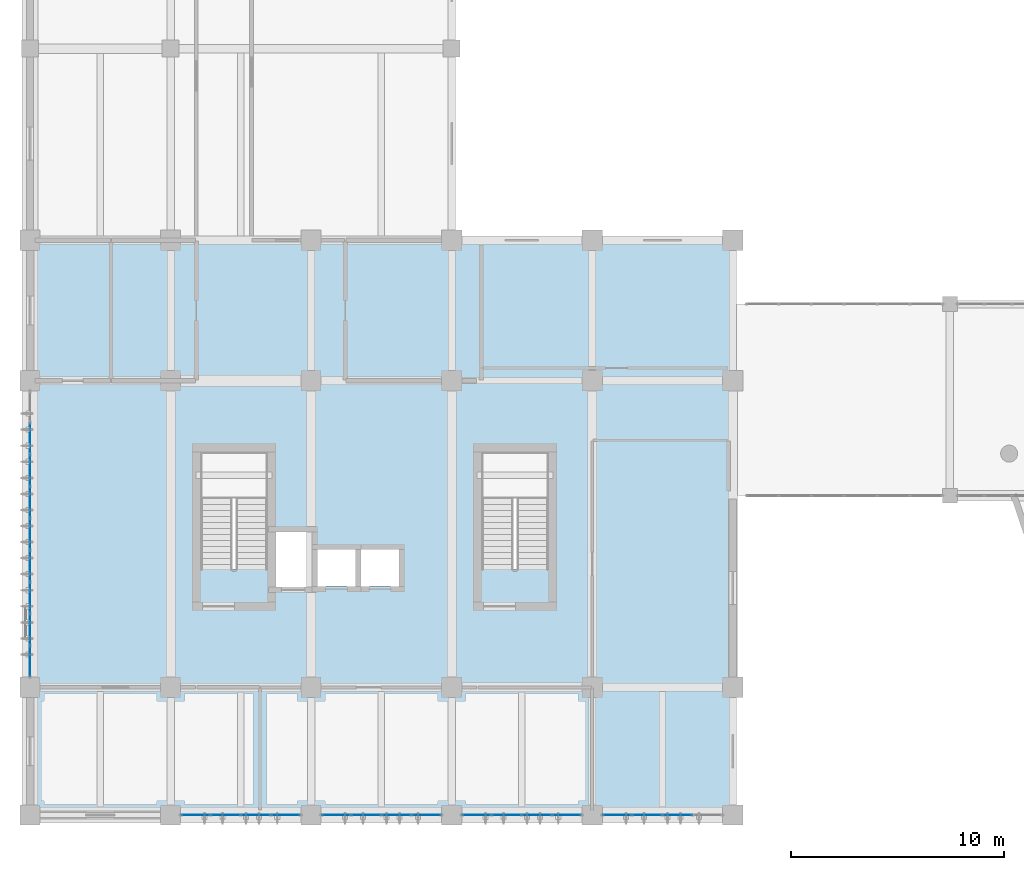
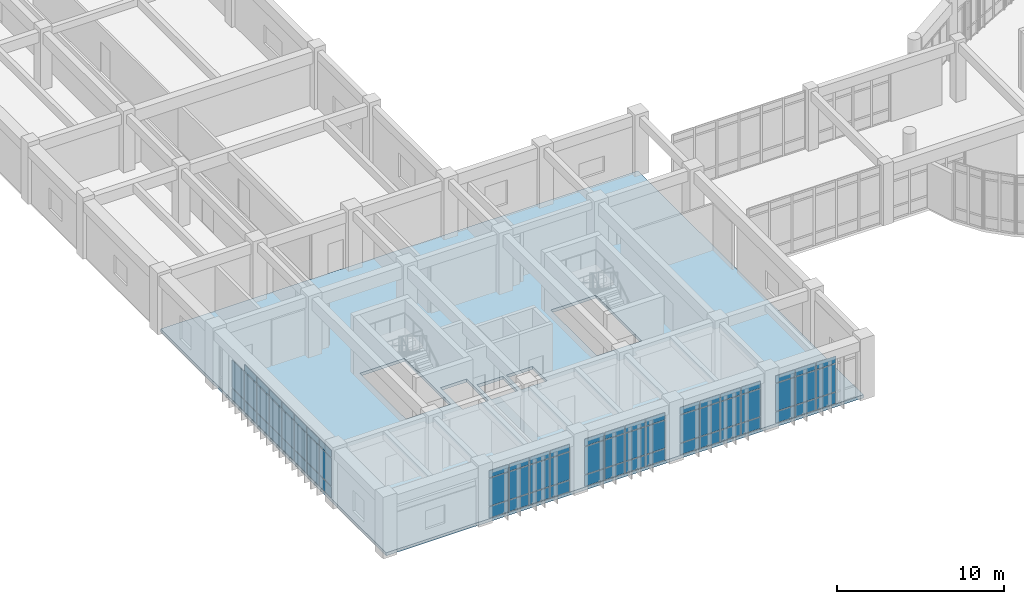
# One storey, part 31 of 57: 68 plates, 1 slab, 5 elements without a shape of their own.
"""IFC4 building model written with IfcOpenShell, lengths in metres."""

from ifc_helpers import new_model, si_unit, direction, frame, origin, origin_2d, place, context, subcontext, project, spatial, polyline, rectangle, outline, extrude, material, layer, layer_set, type_object, element, aggregate, save


model = new_model("IFC4")

# Units and contexts
model_context = context("Model", 3, precision=1e-05, world=origin(), true_north=direction((0.0, 1.0)))
body_context = subcontext(model_context, "Body", "Model", "MODEL_VIEW")
ifc_project = project(units=[si_unit("LENGTHUNIT", "METRE"), si_unit("AREAUNIT", "SQUARE_METRE"), si_unit("VOLUMEUNIT", "CUBIC_METRE"), si_unit("PLANEANGLEUNIT", "RADIAN"), si_unit("MASSUNIT", "GRAM", prefix="KILO")], contexts=[model_context])

# Site, building, storey
site_placement = place(None, origin())
site = spatial("IfcSite", under=ifc_project, at=site_placement, CompositionType="ELEMENT")
building_placement = place(site_placement, origin())
building = spatial("IfcBuilding", under=site, at=building_placement, Name="Miralva Faculty of Natural Sciences", CompositionType="ELEMENT")
storey_placement = place(building_placement, frame((0.0, 0.0, 15.0)))
storey = spatial("IfcBuildingStorey", under=building, at=storey_placement, Name="L03", CompositionType="ELEMENT", Elevation=15.0)

# Curtain wall, plates
ifc_material_1 = material(Name="Laminated solar-control glass", Category="glass")
ifc_layer_1 = layer(ifc_material_1, 0.179931640625, Name="CW-TWR-L03")
ifc_layer_set_1 = layer_set([ifc_layer_1], Name="Laminated solar-control glass")
curtain_wall_type = type_object("IfcCurtainWallType", Name="CW-TWR-L03", PredefinedType="USERDEFINED", material=ifc_layer_set_1)
curtain_wall_1_placement = place(storey_placement, origin())
curtain_wall_1 = element("IfcCurtainWall", 1, at=curtain_wall_1_placement, inside=storey, type_object=curtain_wall_type, Name="Curtain wall CW-14 L03-224", ObjectType="UNITISED CURTAIN WALL", PredefinedType="USERDEFINED")
ifc_layer_2 = layer(ifc_material_1, 0.028076171875, Name="PNL-P01")
ifc_layer_set_2 = layer_set([ifc_layer_2], Name="Laminated solar-control glass")
plate_type = type_object("IfcPlateType", Name="PNL-P01", PredefinedType="CURTAIN_PANEL", material=ifc_layer_set_2)
plate_1_placement = place(storey_placement, frame((10.78125, 3.0, 0.06005859375), z_axis=(0.0, 0.0, 1.0), x_axis=(1.0, 0.0, 0.0)))
plate_1 = element("IfcPlate", 2, at=plate_1_placement, type_object=plate_type, Name="CW-14 panel 1.1", PredefinedType="CURTAIN_PANEL", context=body_context, shape_type="SweptSolid", body=[
    extrude(rectangle(XDim=1.322509765625, YDim=0.028076171875, at=origin_2d()), origin(), (0.0, 0.0, 1.0), 0.81005859375),
])
plate_2_placement = place(storey_placement, frame((10.78125, 3.0, 0.93017578125), z_axis=(0.0, 0.0, 1.0), x_axis=(1.0, 0.0, 0.0)))
plate_2 = element("IfcPlate", 3, at=plate_2_placement, type_object=plate_type, Name="CW-14 panel 1.2", PredefinedType="CURTAIN_PANEL", context=body_context, shape_type="SweptSolid", body=[
    extrude(rectangle(XDim=1.322509765625, YDim=0.028076171875, at=origin_2d()), origin(), (0.0, 0.0, 1.0), 2.014892578125),
])
plate_3_placement = place(storey_placement, frame((10.78125, 3.0, 3.0048828125), z_axis=(0.0, 0.0, 1.0), x_axis=(1.0, 0.0, 0.0)))
plate_3 = element("IfcPlate", 4, at=plate_3_placement, type_object=plate_type, Name="CW-14 panel 1.3", PredefinedType="CURTAIN_PANEL", context=body_context, shape_type="SweptSolid", body=[
    extrude(rectangle(XDim=1.322509765625, YDim=0.028076171875, at=origin_2d()), origin(), (0.0, 0.0, 1.0), 0.510009765625),
])
plate_4_placement = place(storey_placement, frame((12.18505859375, 3.0, 0.06005859375), z_axis=(0.0, 0.0, 1.0), x_axis=(1.0, 0.0, 0.0)))
plate_4 = element("IfcPlate", 5, at=plate_4_placement, type_object=plate_type, Name="CW-14 panel 2.1", PredefinedType="CURTAIN_PANEL", context=body_context, shape_type="SweptSolid", body=[
    extrude(rectangle(XDim=1.35498046875, YDim=0.028076171875, at=origin_2d()), origin(), (0.0, 0.0, 1.0), 0.81005859375),
])
plate_5_placement = place(storey_placement, frame((12.18505859375, 3.0, 0.93017578125), z_axis=(0.0, 0.0, 1.0), x_axis=(1.0, 0.0, 0.0)))
plate_5 = element("IfcPlate", 6, at=plate_5_placement, type_object=plate_type, Name="CW-14 panel 2.2", PredefinedType="CURTAIN_PANEL", context=body_context, shape_type="SweptSolid", body=[
    extrude(rectangle(XDim=1.35498046875, YDim=0.028076171875, at=origin_2d()), origin(), (0.0, 0.0, 1.0), 2.014892578125),
])
plate_6_placement = place(storey_placement, frame((12.18505859375, 3.0, 3.0048828125), z_axis=(0.0, 0.0, 1.0), x_axis=(1.0, 0.0, 0.0)))
plate_6 = element("IfcPlate", 7, at=plate_6_placement, type_object=plate_type, Name="CW-14 panel 2.3", PredefinedType="CURTAIN_PANEL", context=body_context, shape_type="SweptSolid", body=[
    extrude(rectangle(XDim=1.35498046875, YDim=0.028076171875, at=origin_2d()), origin(), (0.0, 0.0, 1.0), 0.510009765625),
])
plate_7_placement = place(storey_placement, frame((13.60498046875, 3.0, 0.06005859375), z_axis=(0.0, 0.0, 1.0), x_axis=(1.0, 0.0, 0.0)))
plate_7 = element("IfcPlate", 8, at=plate_7_placement, type_object=plate_type, Name="CW-14 panel 3.1", PredefinedType="CURTAIN_PANEL", context=body_context, shape_type="SweptSolid", body=[
    extrude(rectangle(XDim=1.35498046875, YDim=0.028076171875, at=origin_2d()), origin(), (0.0, 0.0, 1.0), 0.81005859375),
])
plate_8_placement = place(storey_placement, frame((13.60498046875, 3.0, 0.93017578125), z_axis=(0.0, 0.0, 1.0), x_axis=(1.0, 0.0, 0.0)))
plate_8 = element("IfcPlate", 9, at=plate_8_placement, type_object=plate_type, Name="CW-14 panel 3.2", PredefinedType="CURTAIN_PANEL", context=body_context, shape_type="SweptSolid", body=[
    extrude(rectangle(XDim=1.35498046875, YDim=0.028076171875, at=origin_2d()), origin(), (0.0, 0.0, 1.0), 2.014892578125),
])
plate_9_placement = place(storey_placement, frame((13.60498046875, 3.0, 3.0048828125), z_axis=(0.0, 0.0, 1.0), x_axis=(1.0, 0.0, 0.0)))
plate_9 = element("IfcPlate", 10, at=plate_9_placement, type_object=plate_type, Name="CW-14 panel 3.3", PredefinedType="CURTAIN_PANEL", context=body_context, shape_type="SweptSolid", body=[
    extrude(rectangle(XDim=1.35498046875, YDim=0.028076171875, at=origin_2d()), origin(), (0.0, 0.0, 1.0), 0.510009765625),
])
plate_10_placement = place(storey_placement, frame((15.0087890625, 3.0, 0.06005859375), z_axis=(0.0, 0.0, 1.0), x_axis=(1.0, 0.0, 0.0)))
plate_10 = element("IfcPlate", 11, at=plate_10_placement, type_object=plate_type, Name="CW-14 panel 4.1", PredefinedType="CURTAIN_PANEL", context=body_context, shape_type="SweptSolid", body=[
    extrude(rectangle(XDim=1.322509765625, YDim=0.028076171875, at=origin_2d()), origin(), (0.0, 0.0, 1.0), 0.81005859375),
])
plate_11_placement = place(storey_placement, frame((15.0087890625, 3.0, 0.93017578125), z_axis=(0.0, 0.0, 1.0), x_axis=(1.0, 0.0, 0.0)))
plate_11 = element("IfcPlate", 12, at=plate_11_placement, type_object=plate_type, Name="CW-14 panel 4.2", PredefinedType="CURTAIN_PANEL", context=body_context, shape_type="SweptSolid", body=[
    extrude(rectangle(XDim=1.322509765625, YDim=0.028076171875, at=origin_2d()), origin(), (0.0, 0.0, 1.0), 2.014892578125),
])
plate_12_placement = place(storey_placement, frame((15.0087890625, 3.0, 3.0048828125), z_axis=(0.0, 0.0, 1.0), x_axis=(1.0, 0.0, 0.0)))
plate_12 = element("IfcPlate", 13, at=plate_12_placement, type_object=plate_type, Name="CW-14 panel 4.3", PredefinedType="CURTAIN_PANEL", context=body_context, shape_type="SweptSolid", body=[
    extrude(rectangle(XDim=1.322509765625, YDim=0.028076171875, at=origin_2d()), origin(), (0.0, 0.0, 1.0), 0.510009765625),
])
aggregate(curtain_wall_1, [plate_1, plate_2, plate_3, plate_4, plate_5, plate_6, plate_7, plate_8, plate_9, plate_10, plate_11, plate_12])

curtain_wall_2_placement = place(storey_placement, origin())
curtain_wall_2 = element("IfcCurtainWall", 14, at=curtain_wall_2_placement, inside=storey, type_object=curtain_wall_type, Name="Curtain wall CW-14 L03-225", ObjectType="UNITISED CURTAIN WALL", PredefinedType="USERDEFINED")
plate_13_placement = place(storey_placement, frame((17.382568359375, 3.0, 0.06005859375), z_axis=(0.0, 0.0, 1.0), x_axis=(1.0, 0.0, 0.0)))
plate_13 = element("IfcPlate", 15, at=plate_13_placement, type_object=plate_type, Name="CW-14 panel 1.1", PredefinedType="CURTAIN_PANEL", context=body_context, shape_type="SweptSolid", body=[
    extrude(rectangle(XDim=1.324951171875, YDim=0.028076171875, at=origin_2d()), origin(), (0.0, 0.0, 1.0), 0.81005859375),
])
plate_14_placement = place(storey_placement, frame((17.382568359375, 3.0, 0.93017578125), z_axis=(0.0, 0.0, 1.0), x_axis=(1.0, 0.0, 0.0)))
plate_14 = element("IfcPlate", 16, at=plate_14_placement, type_object=plate_type, Name="CW-14 panel 1.2", PredefinedType="CURTAIN_PANEL", context=body_context, shape_type="SweptSolid", body=[
    extrude(rectangle(XDim=1.324951171875, YDim=0.028076171875, at=origin_2d()), origin(), (0.0, 0.0, 1.0), 2.014892578125),
])
plate_15_placement = place(storey_placement, frame((17.382568359375, 3.0, 3.0048828125), z_axis=(0.0, 0.0, 1.0), x_axis=(1.0, 0.0, 0.0)))
plate_15 = element("IfcPlate", 17, at=plate_15_placement, type_object=plate_type, Name="CW-14 panel 1.3", PredefinedType="CURTAIN_PANEL", context=body_context, shape_type="SweptSolid", body=[
    extrude(rectangle(XDim=1.324951171875, YDim=0.028076171875, at=origin_2d()), origin(), (0.0, 0.0, 1.0), 0.510009765625),
])
plate_16_placement = place(storey_placement, frame((18.788818359375, 3.0, 0.06005859375), z_axis=(0.0, 0.0, 1.0), x_axis=(1.0, 0.0, 0.0)))
plate_16 = element("IfcPlate", 18, at=plate_16_placement, type_object=plate_type, Name="CW-14 panel 2.1", PredefinedType="CURTAIN_PANEL", context=body_context, shape_type="SweptSolid", body=[
    extrude(rectangle(XDim=1.357421875, YDim=0.028076171875, at=origin_2d()), origin(), (0.0, 0.0, 1.0), 0.81005859375),
])
plate_17_placement = place(storey_placement, frame((18.788818359375, 3.0, 0.93017578125), z_axis=(0.0, 0.0, 1.0), x_axis=(1.0, 0.0, 0.0)))
plate_17 = element("IfcPlate", 19, at=plate_17_placement, type_object=plate_type, Name="CW-14 panel 2.2", PredefinedType="CURTAIN_PANEL", context=body_context, shape_type="SweptSolid", body=[
    extrude(rectangle(XDim=1.357421875, YDim=0.028076171875, at=origin_2d()), origin(), (0.0, 0.0, 1.0), 2.014892578125),
])
plate_18_placement = place(storey_placement, frame((18.788818359375, 3.0, 3.0048828125), z_axis=(0.0, 0.0, 1.0), x_axis=(1.0, 0.0, 0.0)))
plate_18 = element("IfcPlate", 20, at=plate_18_placement, type_object=plate_type, Name="CW-14 panel 2.3", PredefinedType="CURTAIN_PANEL", context=body_context, shape_type="SweptSolid", body=[
    extrude(rectangle(XDim=1.357421875, YDim=0.028076171875, at=origin_2d()), origin(), (0.0, 0.0, 1.0), 0.510009765625),
])
plate_19_placement = place(storey_placement, frame((20.211181640625, 3.0, 0.06005859375), z_axis=(0.0, 0.0, 1.0), x_axis=(1.0, 0.0, 0.0)))
plate_19 = element("IfcPlate", 21, at=plate_19_placement, type_object=plate_type, Name="CW-14 panel 3.1", PredefinedType="CURTAIN_PANEL", context=body_context, shape_type="SweptSolid", body=[
    extrude(rectangle(XDim=1.357421875, YDim=0.028076171875, at=origin_2d()), origin(), (0.0, 0.0, 1.0), 0.81005859375),
])
plate_20_placement = place(storey_placement, frame((20.211181640625, 3.0, 0.93017578125), z_axis=(0.0, 0.0, 1.0), x_axis=(1.0, 0.0, 0.0)))
plate_20 = element("IfcPlate", 22, at=plate_20_placement, type_object=plate_type, Name="CW-14 panel 3.2", PredefinedType="CURTAIN_PANEL", context=body_context, shape_type="SweptSolid", body=[
    extrude(rectangle(XDim=1.357421875, YDim=0.028076171875, at=origin_2d()), origin(), (0.0, 0.0, 1.0), 2.014892578125),
])
plate_21_placement = place(storey_placement, frame((20.211181640625, 3.0, 3.0048828125), z_axis=(0.0, 0.0, 1.0), x_axis=(1.0, 0.0, 0.0)))
plate_21 = element("IfcPlate", 23, at=plate_21_placement, type_object=plate_type, Name="CW-14 panel 3.3", PredefinedType="CURTAIN_PANEL", context=body_context, shape_type="SweptSolid", body=[
    extrude(rectangle(XDim=1.357421875, YDim=0.028076171875, at=origin_2d()), origin(), (0.0, 0.0, 1.0), 0.510009765625),
])
plate_22_placement = place(storey_placement, frame((21.617431640625, 3.0, 0.06005859375), z_axis=(0.0, 0.0, 1.0), x_axis=(1.0, 0.0, 0.0)))
plate_22 = element("IfcPlate", 24, at=plate_22_placement, type_object=plate_type, Name="CW-14 panel 4.1", PredefinedType="CURTAIN_PANEL", context=body_context, shape_type="SweptSolid", body=[
    extrude(rectangle(XDim=1.324951171875, YDim=0.028076171875, at=origin_2d()), origin(), (0.0, 0.0, 1.0), 0.81005859375),
])
plate_23_placement = place(storey_placement, frame((21.617431640625, 3.0, 0.93017578125), z_axis=(0.0, 0.0, 1.0), x_axis=(1.0, 0.0, 0.0)))
plate_23 = element("IfcPlate", 25, at=plate_23_placement, type_object=plate_type, Name="CW-14 panel 4.2", PredefinedType="CURTAIN_PANEL", context=body_context, shape_type="SweptSolid", body=[
    extrude(rectangle(XDim=1.324951171875, YDim=0.028076171875, at=origin_2d()), origin(), (0.0, 0.0, 1.0), 2.014892578125),
])
plate_24_placement = place(storey_placement, frame((21.617431640625, 3.0, 3.0048828125), z_axis=(0.0, 0.0, 1.0), x_axis=(1.0, 0.0, 0.0)))
plate_24 = element("IfcPlate", 26, at=plate_24_placement, type_object=plate_type, Name="CW-14 panel 4.3", PredefinedType="CURTAIN_PANEL", context=body_context, shape_type="SweptSolid", body=[
    extrude(rectangle(XDim=1.324951171875, YDim=0.028076171875, at=origin_2d()), origin(), (0.0, 0.0, 1.0), 0.510009765625),
])
aggregate(curtain_wall_2, [plate_13, plate_14, plate_15, plate_16, plate_17, plate_18, plate_19, plate_20, plate_21, plate_22, plate_23, plate_24])

curtain_wall_3_placement = place(storey_placement, origin())
curtain_wall_3 = element("IfcCurtainWall", 27, at=curtain_wall_3_placement, inside=storey, type_object=curtain_wall_type, Name="Curtain wall CW-14 L03-226", ObjectType="UNITISED CURTAIN WALL", PredefinedType="USERDEFINED")
plate_25_placement = place(storey_placement, frame((23.981201171875, 3.0, 0.06005859375), z_axis=(0.0, 0.0, 1.0), x_axis=(1.0, 0.0, 0.0)))
plate_25 = element("IfcPlate", 28, at=plate_25_placement, type_object=plate_type, Name="CW-14 panel 1.1", PredefinedType="CURTAIN_PANEL", context=body_context, shape_type="SweptSolid", body=[
    extrude(rectangle(XDim=1.322509765625, YDim=0.028076171875, at=origin_2d()), origin(), (0.0, 0.0, 1.0), 0.81005859375),
])
plate_26_placement = place(storey_placement, frame((23.981201171875, 3.0, 0.93017578125), z_axis=(0.0, 0.0, 1.0), x_axis=(1.0, 0.0, 0.0)))
plate_26 = element("IfcPlate", 29, at=plate_26_placement, type_object=plate_type, Name="CW-14 panel 1.2", PredefinedType="CURTAIN_PANEL", context=body_context, shape_type="SweptSolid", body=[
    extrude(rectangle(XDim=1.322509765625, YDim=0.028076171875, at=origin_2d()), origin(), (0.0, 0.0, 1.0), 2.014892578125),
])
plate_27_placement = place(storey_placement, frame((23.981201171875, 3.0, 3.0048828125), z_axis=(0.0, 0.0, 1.0), x_axis=(1.0, 0.0, 0.0)))
plate_27 = element("IfcPlate", 30, at=plate_27_placement, type_object=plate_type, Name="CW-14 panel 1.3", PredefinedType="CURTAIN_PANEL", context=body_context, shape_type="SweptSolid", body=[
    extrude(rectangle(XDim=1.322509765625, YDim=0.028076171875, at=origin_2d()), origin(), (0.0, 0.0, 1.0), 0.510009765625),
])
plate_28_placement = place(storey_placement, frame((25.385009765625, 3.0, 0.06005859375), z_axis=(0.0, 0.0, 1.0), x_axis=(1.0, 0.0, 0.0)))
plate_28 = element("IfcPlate", 31, at=plate_28_placement, type_object=plate_type, Name="CW-14 panel 2.1", PredefinedType="CURTAIN_PANEL", context=body_context, shape_type="SweptSolid", body=[
    extrude(rectangle(XDim=1.35498046875, YDim=0.028076171875, at=origin_2d()), origin(), (0.0, 0.0, 1.0), 0.81005859375),
])
plate_29_placement = place(storey_placement, frame((25.385009765625, 3.0, 0.93017578125), z_axis=(0.0, 0.0, 1.0), x_axis=(1.0, 0.0, 0.0)))
plate_29 = element("IfcPlate", 32, at=plate_29_placement, type_object=plate_type, Name="CW-14 panel 2.2", PredefinedType="CURTAIN_PANEL", context=body_context, shape_type="SweptSolid", body=[
    extrude(rectangle(XDim=1.35498046875, YDim=0.028076171875, at=origin_2d()), origin(), (0.0, 0.0, 1.0), 2.014892578125),
])
plate_30_placement = place(storey_placement, frame((25.385009765625, 3.0, 3.0048828125), z_axis=(0.0, 0.0, 1.0), x_axis=(1.0, 0.0, 0.0)))
plate_30 = element("IfcPlate", 33, at=plate_30_placement, type_object=plate_type, Name="CW-14 panel 2.3", PredefinedType="CURTAIN_PANEL", context=body_context, shape_type="SweptSolid", body=[
    extrude(rectangle(XDim=1.35498046875, YDim=0.028076171875, at=origin_2d()), origin(), (0.0, 0.0, 1.0), 0.510009765625),
])
plate_31_placement = place(storey_placement, frame((26.804931640625, 3.0, 0.06005859375), z_axis=(0.0, 0.0, 1.0), x_axis=(1.0, 0.0, 0.0)))
plate_31 = element("IfcPlate", 34, at=plate_31_placement, type_object=plate_type, Name="CW-14 panel 3.1", PredefinedType="CURTAIN_PANEL", context=body_context, shape_type="SweptSolid", body=[
    extrude(rectangle(XDim=1.35498046875, YDim=0.028076171875, at=origin_2d()), origin(), (0.0, 0.0, 1.0), 0.81005859375),
])
plate_32_placement = place(storey_placement, frame((26.804931640625, 3.0, 0.93017578125), z_axis=(0.0, 0.0, 1.0), x_axis=(1.0, 0.0, 0.0)))
plate_32 = element("IfcPlate", 35, at=plate_32_placement, type_object=plate_type, Name="CW-14 panel 3.2", PredefinedType="CURTAIN_PANEL", context=body_context, shape_type="SweptSolid", body=[
    extrude(rectangle(XDim=1.35498046875, YDim=0.028076171875, at=origin_2d()), origin(), (0.0, 0.0, 1.0), 2.014892578125),
])
plate_33_placement = place(storey_placement, frame((26.804931640625, 3.0, 3.0048828125), z_axis=(0.0, 0.0, 1.0), x_axis=(1.0, 0.0, 0.0)))
plate_33 = element("IfcPlate", 36, at=plate_33_placement, type_object=plate_type, Name="CW-14 panel 3.3", PredefinedType="CURTAIN_PANEL", context=body_context, shape_type="SweptSolid", body=[
    extrude(rectangle(XDim=1.35498046875, YDim=0.028076171875, at=origin_2d()), origin(), (0.0, 0.0, 1.0), 0.510009765625),
])
plate_34_placement = place(storey_placement, frame((28.208740234375, 3.0, 0.06005859375), z_axis=(0.0, 0.0, 1.0), x_axis=(1.0, 0.0, 0.0)))
plate_34 = element("IfcPlate", 37, at=plate_34_placement, type_object=plate_type, Name="CW-14 panel 4.1", PredefinedType="CURTAIN_PANEL", context=body_context, shape_type="SweptSolid", body=[
    extrude(rectangle(XDim=1.322509765625, YDim=0.028076171875, at=origin_2d()), origin(), (0.0, 0.0, 1.0), 0.81005859375),
])
plate_35_placement = place(storey_placement, frame((28.208740234375, 3.0, 0.93017578125), z_axis=(0.0, 0.0, 1.0), x_axis=(1.0, 0.0, 0.0)))
plate_35 = element("IfcPlate", 38, at=plate_35_placement, type_object=plate_type, Name="CW-14 panel 4.2", PredefinedType="CURTAIN_PANEL", context=body_context, shape_type="SweptSolid", body=[
    extrude(rectangle(XDim=1.322509765625, YDim=0.028076171875, at=origin_2d()), origin(), (0.0, 0.0, 1.0), 2.014892578125),
])
plate_36_placement = place(storey_placement, frame((28.208740234375, 3.0, 3.0048828125), z_axis=(0.0, 0.0, 1.0), x_axis=(1.0, 0.0, 0.0)))
plate_36 = element("IfcPlate", 39, at=plate_36_placement, type_object=plate_type, Name="CW-14 panel 4.3", PredefinedType="CURTAIN_PANEL", context=body_context, shape_type="SweptSolid", body=[
    extrude(rectangle(XDim=1.322509765625, YDim=0.028076171875, at=origin_2d()), origin(), (0.0, 0.0, 1.0), 0.510009765625),
])
aggregate(curtain_wall_3, [plate_25, plate_26, plate_27, plate_28, plate_29, plate_30, plate_31, plate_32, plate_33, plate_34, plate_35, plate_36])

curtain_wall_4_placement = place(storey_placement, origin())
curtain_wall_4 = element("IfcCurtainWall", 40, at=curtain_wall_4_placement, inside=storey, type_object=curtain_wall_type, Name="Curtain wall CW-14 L03-227", ObjectType="UNITISED CURTAIN WALL", PredefinedType="USERDEFINED")
plate_37_placement = place(storey_placement, frame((30.58251953125, 3.0, 0.06005859375), z_axis=(0.0, 0.0, 1.0), x_axis=(1.0, 0.0, 0.0)))
plate_37 = element("IfcPlate", 41, at=plate_37_placement, type_object=plate_type, Name="CW-14 panel 1.1", PredefinedType="CURTAIN_PANEL", context=body_context, shape_type="SweptSolid", body=[
    extrude(rectangle(XDim=1.324951171875, YDim=0.028076171875, at=origin_2d()), origin(), (0.0, 0.0, 1.0), 0.81005859375),
])
plate_38_placement = place(storey_placement, frame((30.58251953125, 3.0, 0.93017578125), z_axis=(0.0, 0.0, 1.0), x_axis=(1.0, 0.0, 0.0)))
plate_38 = element("IfcPlate", 42, at=plate_38_placement, type_object=plate_type, Name="CW-14 panel 1.2", PredefinedType="CURTAIN_PANEL", context=body_context, shape_type="SweptSolid", body=[
    extrude(rectangle(XDim=1.324951171875, YDim=0.028076171875, at=origin_2d()), origin(), (0.0, 0.0, 1.0), 2.014892578125),
])
plate_39_placement = place(storey_placement, frame((30.58251953125, 3.0, 3.0048828125), z_axis=(0.0, 0.0, 1.0), x_axis=(1.0, 0.0, 0.0)))
plate_39 = element("IfcPlate", 43, at=plate_39_placement, type_object=plate_type, Name="CW-14 panel 1.3", PredefinedType="CURTAIN_PANEL", context=body_context, shape_type="SweptSolid", body=[
    extrude(rectangle(XDim=1.324951171875, YDim=0.028076171875, at=origin_2d()), origin(), (0.0, 0.0, 1.0), 0.510009765625),
])
plate_40_placement = place(storey_placement, frame((31.98876953125, 3.0, 0.06005859375), z_axis=(0.0, 0.0, 1.0), x_axis=(1.0, 0.0, 0.0)))
plate_40 = element("IfcPlate", 44, at=plate_40_placement, type_object=plate_type, Name="CW-14 panel 2.1", PredefinedType="CURTAIN_PANEL", context=body_context, shape_type="SweptSolid", body=[
    extrude(rectangle(XDim=1.357421875, YDim=0.028076171875, at=origin_2d()), origin(), (0.0, 0.0, 1.0), 0.81005859375),
])
plate_41_placement = place(storey_placement, frame((31.98876953125, 3.0, 0.93017578125), z_axis=(0.0, 0.0, 1.0), x_axis=(1.0, 0.0, 0.0)))
plate_41 = element("IfcPlate", 45, at=plate_41_placement, type_object=plate_type, Name="CW-14 panel 2.2", PredefinedType="CURTAIN_PANEL", context=body_context, shape_type="SweptSolid", body=[
    extrude(rectangle(XDim=1.357421875, YDim=0.028076171875, at=origin_2d()), origin(), (0.0, 0.0, 1.0), 2.014892578125),
])
plate_42_placement = place(storey_placement, frame((31.98876953125, 3.0, 3.0048828125), z_axis=(0.0, 0.0, 1.0), x_axis=(1.0, 0.0, 0.0)))
plate_42 = element("IfcPlate", 46, at=plate_42_placement, type_object=plate_type, Name="CW-14 panel 2.3", PredefinedType="CURTAIN_PANEL", context=body_context, shape_type="SweptSolid", body=[
    extrude(rectangle(XDim=1.357421875, YDim=0.028076171875, at=origin_2d()), origin(), (0.0, 0.0, 1.0), 0.510009765625),
])
plate_43_placement = place(storey_placement, frame((33.4111328125, 3.0, 0.06005859375), z_axis=(0.0, 0.0, 1.0), x_axis=(1.0, 0.0, 0.0)))
plate_43 = element("IfcPlate", 47, at=plate_43_placement, type_object=plate_type, Name="CW-14 panel 3.1", PredefinedType="CURTAIN_PANEL", context=body_context, shape_type="SweptSolid", body=[
    extrude(rectangle(XDim=1.357421875, YDim=0.028076171875, at=origin_2d()), origin(), (0.0, 0.0, 1.0), 0.81005859375),
])
plate_44_placement = place(storey_placement, frame((33.4111328125, 3.0, 0.93017578125), z_axis=(0.0, 0.0, 1.0), x_axis=(1.0, 0.0, 0.0)))
plate_44 = element("IfcPlate", 48, at=plate_44_placement, type_object=plate_type, Name="CW-14 panel 3.2", PredefinedType="CURTAIN_PANEL", context=body_context, shape_type="SweptSolid", body=[
    extrude(rectangle(XDim=1.357421875, YDim=0.028076171875, at=origin_2d()), origin(), (0.0, 0.0, 1.0), 2.014892578125),
])
plate_45_placement = place(storey_placement, frame((33.4111328125, 3.0, 3.0048828125), z_axis=(0.0, 0.0, 1.0), x_axis=(1.0, 0.0, 0.0)))
plate_45 = element("IfcPlate", 49, at=plate_45_placement, type_object=plate_type, Name="CW-14 panel 3.3", PredefinedType="CURTAIN_PANEL", context=body_context, shape_type="SweptSolid", body=[
    extrude(rectangle(XDim=1.357421875, YDim=0.028076171875, at=origin_2d()), origin(), (0.0, 0.0, 1.0), 0.510009765625),
])
aggregate(curtain_wall_4, [plate_37, plate_38, plate_39, plate_40, plate_41, plate_42, plate_43, plate_44, plate_45])

curtain_wall_5_placement = place(storey_placement, origin())
curtain_wall_5 = element("IfcCurtainWall", 50, at=curtain_wall_5_placement, inside=storey, type_object=curtain_wall_type, Name="Curtain wall CW-14 L03-228", ObjectType="UNITISED CURTAIN WALL", PredefinedType="USERDEFINED")
plate_46_placement = place(storey_placement, frame((3.0, 10.2294921875, 0.06005859375), z_axis=(0.0, 0.0, 1.0), x_axis=(0.0, 1.0, 0.0)))
plate_46 = element("IfcPlate", 51, at=plate_46_placement, type_object=plate_type, Name="CW-14 panel 1.1", PredefinedType="CURTAIN_PANEL", context=body_context, shape_type="SweptSolid", body=[
    extrude(rectangle(XDim=1.399169921875, YDim=0.028076171875, at=origin_2d()), origin(), (0.0, 0.0, 1.0), 0.81005859375),
])
plate_47_placement = place(storey_placement, frame((3.0, 10.2294921875, 0.93017578125), z_axis=(0.0, 0.0, 1.0), x_axis=(0.0, 1.0, 0.0)))
plate_47 = element("IfcPlate", 52, at=plate_47_placement, type_object=plate_type, Name="CW-14 panel 1.2", PredefinedType="CURTAIN_PANEL", context=body_context, shape_type="SweptSolid", body=[
    extrude(rectangle(XDim=1.399169921875, YDim=0.028076171875, at=origin_2d()), origin(), (0.0, 0.0, 1.0), 2.014892578125),
])
plate_48_placement = place(storey_placement, frame((3.0, 10.2294921875, 3.0048828125), z_axis=(0.0, 0.0, 1.0), x_axis=(0.0, 1.0, 0.0)))
plate_48 = element("IfcPlate", 53, at=plate_48_placement, type_object=plate_type, Name="CW-14 panel 1.3", PredefinedType="CURTAIN_PANEL", context=body_context, shape_type="SweptSolid", body=[
    extrude(rectangle(XDim=1.399169921875, YDim=0.028076171875, at=origin_2d()), origin(), (0.0, 0.0, 1.0), 0.510009765625),
])
plate_49_placement = place(storey_placement, frame((3.0, 11.7099609375, 0.06005859375), z_axis=(0.0, 0.0, 1.0), x_axis=(0.0, 1.0, 0.0)))
plate_49 = element("IfcPlate", 54, at=plate_49_placement, type_object=plate_type, Name="CW-14 panel 2.1", PredefinedType="CURTAIN_PANEL", context=body_context, shape_type="SweptSolid", body=[
    extrude(rectangle(XDim=1.431640625, YDim=0.028076171875, at=origin_2d()), origin(), (0.0, 0.0, 1.0), 0.81005859375),
])
plate_50_placement = place(storey_placement, frame((3.0, 11.7099609375, 0.93017578125), z_axis=(0.0, 0.0, 1.0), x_axis=(0.0, 1.0, 0.0)))
plate_50 = element("IfcPlate", 55, at=plate_50_placement, type_object=plate_type, Name="CW-14 panel 2.2", PredefinedType="CURTAIN_PANEL", context=body_context, shape_type="SweptSolid", body=[
    extrude(rectangle(XDim=1.431640625, YDim=0.028076171875, at=origin_2d()), origin(), (0.0, 0.0, 1.0), 2.014892578125),
])
plate_51_placement = place(storey_placement, frame((3.0, 11.7099609375, 3.0048828125), z_axis=(0.0, 0.0, 1.0), x_axis=(0.0, 1.0, 0.0)))
plate_51 = element("IfcPlate", 56, at=plate_51_placement, type_object=plate_type, Name="CW-14 panel 2.3", PredefinedType="CURTAIN_PANEL", context=body_context, shape_type="SweptSolid", body=[
    extrude(rectangle(XDim=1.431640625, YDim=0.028076171875, at=origin_2d()), origin(), (0.0, 0.0, 1.0), 0.510009765625),
])
plate_52_placement = place(storey_placement, frame((3.0, 13.206787109375, 0.06005859375), z_axis=(0.0, 0.0, 1.0), x_axis=(0.0, 1.0, 0.0)))
plate_52 = element("IfcPlate", 57, at=plate_52_placement, type_object=plate_type, Name="CW-14 panel 3.1", PredefinedType="CURTAIN_PANEL", context=body_context, shape_type="SweptSolid", body=[
    extrude(rectangle(XDim=1.431640625, YDim=0.028076171875, at=origin_2d()), origin(), (0.0, 0.0, 1.0), 0.81005859375),
])
plate_53_placement = place(storey_placement, frame((3.0, 13.206787109375, 0.93017578125), z_axis=(0.0, 0.0, 1.0), x_axis=(0.0, 1.0, 0.0)))
plate_53 = element("IfcPlate", 58, at=plate_53_placement, type_object=plate_type, Name="CW-14 panel 3.2", PredefinedType="CURTAIN_PANEL", context=body_context, shape_type="SweptSolid", body=[
    extrude(rectangle(XDim=1.431640625, YDim=0.028076171875, at=origin_2d()), origin(), (0.0, 0.0, 1.0), 2.014892578125),
])
plate_54_placement = place(storey_placement, frame((3.0, 13.206787109375, 3.0048828125), z_axis=(0.0, 0.0, 1.0), x_axis=(0.0, 1.0, 0.0)))
plate_54 = element("IfcPlate", 59, at=plate_54_placement, type_object=plate_type, Name="CW-14 panel 3.3", PredefinedType="CURTAIN_PANEL", context=body_context, shape_type="SweptSolid", body=[
    extrude(rectangle(XDim=1.431640625, YDim=0.028076171875, at=origin_2d()), origin(), (0.0, 0.0, 1.0), 0.510009765625),
])
plate_55_placement = place(storey_placement, frame((3.0, 14.703369140625, 0.06005859375), z_axis=(0.0, 0.0, 1.0), x_axis=(0.0, 1.0, 0.0)))
plate_55 = element("IfcPlate", 60, at=plate_55_placement, type_object=plate_type, Name="CW-14 panel 4.1", PredefinedType="CURTAIN_PANEL", context=body_context, shape_type="SweptSolid", body=[
    extrude(rectangle(XDim=1.431640625, YDim=0.028076171875, at=origin_2d()), origin(), (0.0, 0.0, 1.0), 0.81005859375),
])
plate_56_placement = place(storey_placement, frame((3.0, 14.703369140625, 0.93017578125), z_axis=(0.0, 0.0, 1.0), x_axis=(0.0, 1.0, 0.0)))
plate_56 = element("IfcPlate", 61, at=plate_56_placement, type_object=plate_type, Name="CW-14 panel 4.2", PredefinedType="CURTAIN_PANEL", context=body_context, shape_type="SweptSolid", body=[
    extrude(rectangle(XDim=1.431640625, YDim=0.028076171875, at=origin_2d()), origin(), (0.0, 0.0, 1.0), 2.014892578125),
])
plate_57_placement = place(storey_placement, frame((3.0, 14.703369140625, 3.0048828125), z_axis=(0.0, 0.0, 1.0), x_axis=(0.0, 1.0, 0.0)))
plate_57 = element("IfcPlate", 62, at=plate_57_placement, type_object=plate_type, Name="CW-14 panel 4.3", PredefinedType="CURTAIN_PANEL", context=body_context, shape_type="SweptSolid", body=[
    extrude(rectangle(XDim=1.431640625, YDim=0.028076171875, at=origin_2d()), origin(), (0.0, 0.0, 1.0), 0.510009765625),
])
plate_58_placement = place(storey_placement, frame((3.0, 16.199951171875, 0.06005859375), z_axis=(0.0, 0.0, 1.0), x_axis=(0.0, 1.0, 0.0)))
plate_58 = element("IfcPlate", 63, at=plate_58_placement, type_object=plate_type, Name="CW-14 panel 5.1", PredefinedType="CURTAIN_PANEL", context=body_context, shape_type="SweptSolid", body=[
    extrude(rectangle(XDim=1.431640625, YDim=0.028076171875, at=origin_2d()), origin(), (0.0, 0.0, 1.0), 0.81005859375),
])
plate_59_placement = place(storey_placement, frame((3.0, 16.199951171875, 0.93017578125), z_axis=(0.0, 0.0, 1.0), x_axis=(0.0, 1.0, 0.0)))
plate_59 = element("IfcPlate", 64, at=plate_59_placement, type_object=plate_type, Name="CW-14 panel 5.2", PredefinedType="CURTAIN_PANEL", context=body_context, shape_type="SweptSolid", body=[
    extrude(rectangle(XDim=1.431640625, YDim=0.028076171875, at=origin_2d()), origin(), (0.0, 0.0, 1.0), 2.014892578125),
])
plate_60_placement = place(storey_placement, frame((3.0, 16.199951171875, 3.0048828125), z_axis=(0.0, 0.0, 1.0), x_axis=(0.0, 1.0, 0.0)))
plate_60 = element("IfcPlate", 65, at=plate_60_placement, type_object=plate_type, Name="CW-14 panel 5.3", PredefinedType="CURTAIN_PANEL", context=body_context, shape_type="SweptSolid", body=[
    extrude(rectangle(XDim=1.431640625, YDim=0.028076171875, at=origin_2d()), origin(), (0.0, 0.0, 1.0), 0.510009765625),
])
plate_61_placement = place(storey_placement, frame((3.0, 17.69677734375, 0.06005859375), z_axis=(0.0, 0.0, 1.0), x_axis=(0.0, 1.0, 0.0)))
plate_61 = element("IfcPlate", 66, at=plate_61_placement, type_object=plate_type, Name="CW-14 panel 6.1", PredefinedType="CURTAIN_PANEL", context=body_context, shape_type="SweptSolid", body=[
    extrude(rectangle(XDim=1.431640625, YDim=0.028076171875, at=origin_2d()), origin(), (0.0, 0.0, 1.0), 0.81005859375),
])
plate_62_placement = place(storey_placement, frame((3.0, 17.69677734375, 0.93017578125), z_axis=(0.0, 0.0, 1.0), x_axis=(0.0, 1.0, 0.0)))
plate_62 = element("IfcPlate", 67, at=plate_62_placement, type_object=plate_type, Name="CW-14 panel 6.2", PredefinedType="CURTAIN_PANEL", context=body_context, shape_type="SweptSolid", body=[
    extrude(rectangle(XDim=1.431640625, YDim=0.028076171875, at=origin_2d()), origin(), (0.0, 0.0, 1.0), 2.014892578125),
])
plate_63_placement = place(storey_placement, frame((3.0, 17.69677734375, 3.0048828125), z_axis=(0.0, 0.0, 1.0), x_axis=(0.0, 1.0, 0.0)))
plate_63 = element("IfcPlate", 68, at=plate_63_placement, type_object=plate_type, Name="CW-14 panel 6.3", PredefinedType="CURTAIN_PANEL", context=body_context, shape_type="SweptSolid", body=[
    extrude(rectangle(XDim=1.431640625, YDim=0.028076171875, at=origin_2d()), origin(), (0.0, 0.0, 1.0), 0.510009765625),
])
plate_64_placement = place(storey_placement, frame((3.0, 19.193359375, 0.06005859375), z_axis=(0.0, 0.0, 1.0), x_axis=(0.0, 1.0, 0.0)))
plate_64 = element("IfcPlate", 69, at=plate_64_placement, type_object=plate_type, Name="CW-14 panel 7.1", PredefinedType="CURTAIN_PANEL", context=body_context, shape_type="SweptSolid", body=[
    extrude(rectangle(XDim=1.431640625, YDim=0.028076171875, at=origin_2d()), origin(), (0.0, 0.0, 1.0), 0.81005859375),
])
plate_65_placement = place(storey_placement, frame((3.0, 19.193359375, 0.93017578125), z_axis=(0.0, 0.0, 1.0), x_axis=(0.0, 1.0, 0.0)))
plate_65 = element("IfcPlate", 70, at=plate_65_placement, type_object=plate_type, Name="CW-14 panel 7.2", PredefinedType="CURTAIN_PANEL", context=body_context, shape_type="SweptSolid", body=[
    extrude(rectangle(XDim=1.431640625, YDim=0.028076171875, at=origin_2d()), origin(), (0.0, 0.0, 1.0), 2.014892578125),
])
plate_66_placement = place(storey_placement, frame((3.0, 19.193359375, 3.0048828125), z_axis=(0.0, 0.0, 1.0), x_axis=(0.0, 1.0, 0.0)))
plate_66 = element("IfcPlate", 71, at=plate_66_placement, type_object=plate_type, Name="CW-14 panel 7.3", PredefinedType="CURTAIN_PANEL", context=body_context, shape_type="SweptSolid", body=[
    extrude(rectangle(XDim=1.431640625, YDim=0.028076171875, at=origin_2d()), origin(), (0.0, 0.0, 1.0), 0.510009765625),
])
plate_67_placement = place(storey_placement, frame((3.0, 20.68994140625, 0.06005859375), z_axis=(0.0, 0.0, 1.0), x_axis=(0.0, 1.0, 0.0)))
plate_67 = element("IfcPlate", 72, at=plate_67_placement, type_object=plate_type, Name="CW-14 panel 8.1", PredefinedType="CURTAIN_PANEL", context=body_context, shape_type="SweptSolid", body=[
    extrude(rectangle(XDim=1.431640625, YDim=0.028076171875, at=origin_2d()), origin(), (0.0, 0.0, 1.0), 0.81005859375),
])
plate_68_placement = place(storey_placement, frame((3.0, 20.68994140625, 0.93017578125), z_axis=(0.0, 0.0, 1.0), x_axis=(0.0, 1.0, 0.0)))
plate_68 = element("IfcPlate", 73, at=plate_68_placement, type_object=plate_type, Name="CW-14 panel 8.2", PredefinedType="CURTAIN_PANEL", context=body_context, shape_type="SweptSolid", body=[
    extrude(rectangle(XDim=1.431640625, YDim=0.028076171875, at=origin_2d()), origin(), (0.0, 0.0, 1.0), 2.014892578125),
])
aggregate(curtain_wall_5, [plate_46, plate_47, plate_48, plate_49, plate_50, plate_51, plate_52, plate_53, plate_54, plate_55, plate_56, plate_57, plate_58, plate_59, plate_60, plate_61, plate_62, plate_63, plate_64, plate_65, plate_66, plate_67, plate_68])

# Slab
ifc_material_2 = material(Name="Concrete C40/50", Category="concrete")
ifc_layer_3 = layer(ifc_material_2, 0.219970703125, Name="SL-FL04")
ifc_layer_set_3 = layer_set([ifc_layer_3], Name="Concrete C40/50")
slab_type = type_object("IfcSlabType", Name="SL-FL04", PredefinedType="FLOOR", material=ifc_layer_set_3)
slab_placement = place(storey_placement, frame((0.0, 0.0, -0.219970703125)))
element("IfcSlab", 74, at=slab_placement, inside=storey, type_object=slab_type, Name="V5 L03 floor slab", PredefinedType="FLOOR", context=body_context, shape_type="SweptSolid", body=[
    extrude(outline(polyline([(36.0, 3.0), (3.0, 3.0), (3.0, 30.0), (36.0, 30.0), (36.0, 3.0)]), holes=[polyline([(14.125, 14.52490234375), (11.02490234375, 14.52490234375), (11.02490234375, 20.02490234375), (14.125, 20.02490234375), (14.125, 14.52490234375)]), polyline([(16.25, 13.699951171875), (14.449951171875, 13.699951171875), (14.449951171875, 16.300048828125), (16.25, 16.300048828125), (16.25, 13.699951171875)]), polyline([(18.2900390625, 13.72509765625), (16.489990234375, 13.72509765625), (16.489990234375, 15.47509765625), (18.2900390625, 15.47509765625), (18.2900390625, 13.72509765625)]), polyline([(27.324951171875, 14.52490234375), (24.22509765625, 14.52490234375), (24.22509765625, 20.02490234375), (27.324951171875, 20.02490234375), (27.324951171875, 14.52490234375)]), polyline([(20.330078125, 13.72509765625), (18.530029296875, 13.72509765625), (18.530029296875, 15.47509765625), (20.330078125, 15.47509765625), (20.330078125, 13.72509765625)])]), origin(), (0.0, 0.0, 1.0), 0.219970703125),
])

save(model, "model.ifc")
